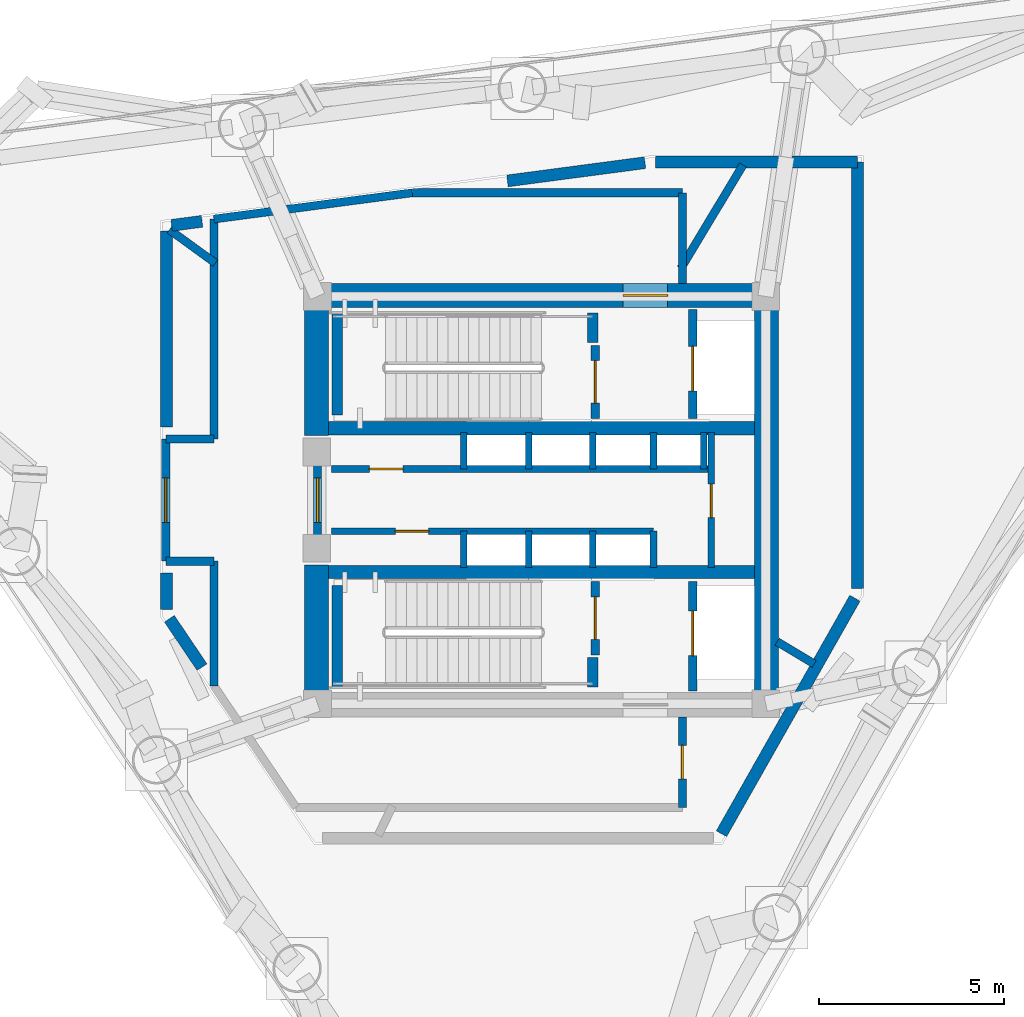
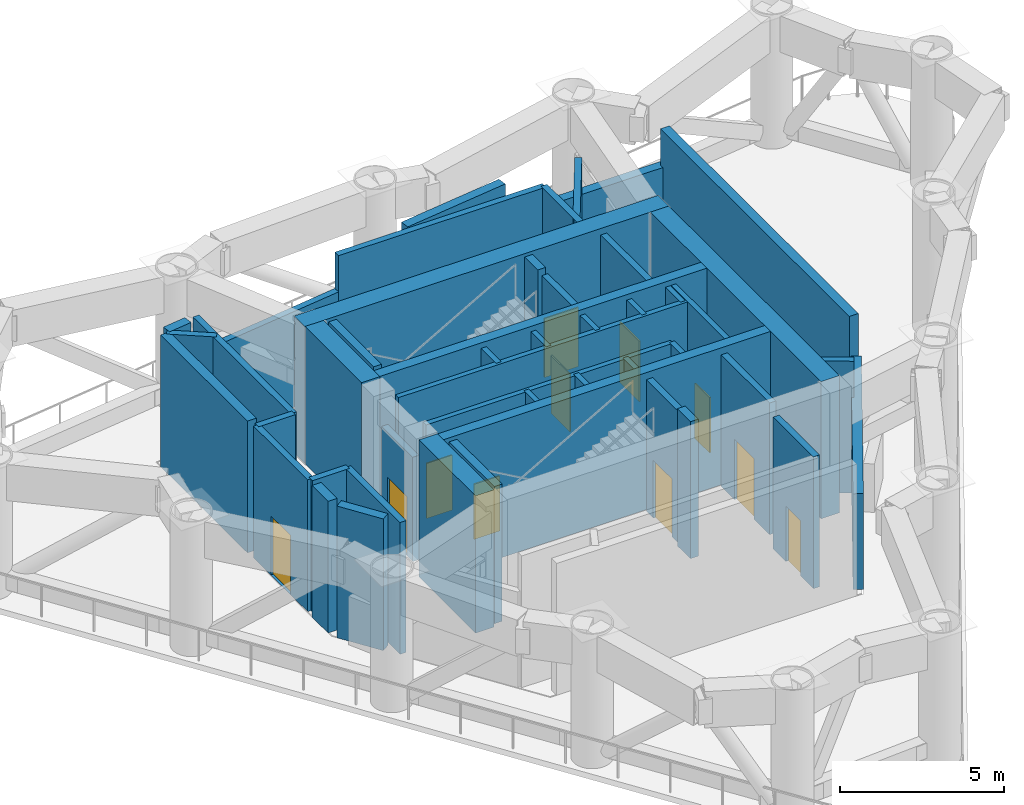
# One storey, part 4 of 10: 47 walls, 11 doors, 11 openings.
"""IFC4 building model written with IfcOpenShell, lengths in metres."""

from ifc_helpers import new_model, si_unit, direction, frame, frame_2d, origin, place, context, subcontext, project, spatial, rectangle, extrude, material, layer, layer_set, type_object, element, fill, save


model = new_model("IFC4")

# Units and contexts
model_context = context("Model", 3, precision=1e-05, world=origin(), true_north=direction((0.0, 1.0)))
body_context = subcontext(model_context, "Body", "Model", "MODEL_VIEW")
ifc_project = project(units=[si_unit("LENGTHUNIT", "METRE"), si_unit("AREAUNIT", "SQUARE_METRE"), si_unit("VOLUMEUNIT", "CUBIC_METRE"), si_unit("PLANEANGLEUNIT", "RADIAN"), si_unit("MASSUNIT", "GRAM", prefix="KILO")], contexts=[model_context])

# Site, building, storey
site_placement = place(None, origin())
site = spatial("IfcSite", under=ifc_project, at=site_placement, CompositionType="ELEMENT")
building_placement = place(site_placement, origin())
building = spatial("IfcBuilding", under=site, at=building_placement, Name="Yunling Apex Tower", CompositionType="ELEMENT")
storey_placement = place(building_placement, frame((0.0, 0.0, 186.35009765625)))
storey = spatial("IfcBuildingStorey", under=building, at=storey_placement, Name="RF5", CompositionType="ELEMENT", Elevation=186.35009765625)

# Wall, opening, door
ifc_material_1 = material(Name="Concrete C50", Category="concrete")
ifc_layer_1 = layer(ifc_material_1, 0.64990234375)
ifc_layer_set_1 = layer_set([ifc_layer_1], Name="Concrete C50")
wall_type_1 = type_object("IfcWallType", Name="WL-COR-2", PredefinedType="SHEAR", material=ifc_layer_set_1)
wall_1_placement = place(storey_placement, frame((-6.39990234375, 5.52490234375, 0.0), z_axis=(0.0, 0.0, 1.0), x_axis=(1.0, 0.0, 0.0)))
wall_1 = element("IfcWall", 1, at=wall_1_placement, inside=storey, type_object=wall_type_1, Name="RF5 North Core Shear Wall", PredefinedType="SHEAR", context=body_context, shape_type="SweptSolid", body=[
    extrude(rectangle(XDim=12.7998046875, YDim=0.64990234375, at=frame_2d((6.39990234375, 0.0))), origin(), (0.0, 0.0, 1.0), 5.099853515625),
])
opening_1_placement = place(wall_1_placement, frame((8.60009765625, 0.0, 0.0)))
opening_1 = element("IfcOpeningElement", 2, at=opening_1_placement, cuts=wall_1, Name="Opening DR-FFL-1", PredefinedType="OPENING", context=body_context, shape_type="SweptSolid", body=[
    extrude(rectangle(XDim=1.199951171875, YDim=2.199951171875, at=frame_2d((0.60009765625, 1.10009765625))), frame((0.0, 0.3349609375, 0.0), z_axis=(0.0, -1.0, 0.0), x_axis=(1.0, 0.0, 0.0)), (0.0, 0.0, 1.0), 0.669921875),
])
ifc_material_2 = material(Name="Steel Q355B", Category="steel")
door_type_1 = type_object("IfcDoorType", Name="DR-FFL-1", OperationType="NOTDEFINED", PredefinedType="DOOR", material=ifc_material_2)
door_1_placement = place(opening_1_placement, origin())
door_1 = element("IfcDoor", 3, at=door_1_placement, inside=storey, type_object=door_type_1, Name="RF5 North Firefighting Lobby Door", OperationType="SINGLE_SWING_LEFT", OverallHeight=2.199951171875, OverallWidth=1.199951171875, PredefinedType="DOOR", context=body_context, shape_type="SweptSolid", body=[
    extrude(rectangle(XDim=1.199951171875, YDim=2.199951171875, at=frame_2d((0.60009765625, 1.10009765625))), frame((0.0, 0.02490234375, 0.0), z_axis=(0.0, -1.0, 0.0), x_axis=(1.0, 0.0, 0.0)), (0.0, 0.0, 1.0), 0.050048828125),
])
fill(opening_1, door_1)

# Walls
wall_2_placement = place(storey_placement, frame((6.074951171875, -5.199951171875, 0.0), z_axis=(0.0, 0.0, 1.0), x_axis=(0.0, 1.0, 0.0)))
element("IfcWall", 4, at=wall_2_placement, inside=storey, type_object=wall_type_1, Name="RF5 East Core Shear Wall", PredefinedType="SHEAR", context=body_context, shape_type="SweptSolid", body=[
    extrude(rectangle(XDim=10.39990234375, YDim=0.64990234375, at=frame_2d((5.199951171875, 0.0))), origin(), (0.0, 0.0, 1.0), 5.099853515625),
])
for number, where, z_axis, x_axis, name in (
    (5, (-6.074951171875, -5.199951171875, 0.0), (0.0, 0.0, 1.0), (0.0, 1.0, 0.0), "RF5 West-South Core Shear Wall"),
    (6, (-6.074951171875, 1.75, 0.0), (0.0, 0.0, 1.0), (0.0, 1.0, 0.0), "RF5 West-North Core Shear Wall"),
):
    element("IfcWall", number, at=place(storey_placement, frame(where, z_axis=z_axis, x_axis=x_axis)), inside=storey, type_object=wall_type_1, Name=name, PredefinedType="SHEAR", context=body_context, shape_type="SweptSolid", body=[
        extrude(rectangle(XDim=3.449951171875, YDim=0.64990234375, at=frame_2d((1.72509765625, 0.0))), origin(), (0.0, 0.0, 1.0), 5.099853515625),
    ])
ifc_material_3 = material(Name="Concrete C40", Category="concrete")
ifc_layer_2 = layer(ifc_material_3, 0.360107421875)
ifc_layer_set_2 = layer_set([ifc_layer_2], Name="Concrete C40")
wall_type_2 = type_object("IfcWallType", Name="WL-COR-4", PredefinedType="SHEAR", material=ifc_layer_set_2)
for number, where, z_axis, x_axis, name in (
    (7, (-5.75, 1.93994140625, 0.0), (0.0, 0.0, 1.0), (1.0, 0.0, 0.0), "RF5 North Internal Core Shear Wall"),
    (8, (-5.75, -1.93994140625, 0.0), (0.0, 0.0, 1.0), (1.0, 0.0, 0.0), "RF5 South Internal Core Shear Wall"),
):
    element("IfcWall", number, at=place(storey_placement, frame(where, z_axis=z_axis, x_axis=x_axis)), inside=storey, type_object=wall_type_2, Name=name, PredefinedType="SHEAR", context=body_context, shape_type="SweptSolid", body=[
        extrude(rectangle(XDim=11.5, YDim=0.360107421875, at=frame_2d((5.75, 0.0))), origin(), (0.0, 0.0, 1.0), 5.099853515625),
    ])
ifc_layer_3 = layer(ifc_material_3, 0.280029296875)
ifc_layer_set_3 = layer_set([ifc_layer_3], Name="Concrete C40")
wall_type_3 = type_object("IfcWallType", Name="WL-COR-8", PredefinedType="SHEAR", material=ifc_layer_set_3)
wall_3_placement = place(storey_placement, frame((-5.52001953125, 2.300048828125, 0.0), z_axis=(0.0, 0.0, 1.0), x_axis=(0.0, 1.0, 0.0)))
element("IfcWall", 9, at=wall_3_placement, inside=storey, type_object=wall_type_3, Name="RF5 ST-1 West Landing Bearing Wall", PredefinedType="SHEAR", context=body_context, shape_type="SweptSolid", body=[
    extrude(rectangle(XDim=2.75, YDim=0.280029296875, at=frame_2d((1.375, 0.0))), origin(), (0.0, 0.0, 1.0), 5.099853515625),
])
wall_4_placement = place(storey_placement, frame((1.3798828125, 4.25, 0.0), z_axis=(0.0, 0.0, 1.0), x_axis=(0.0, 1.0, 0.0)))
element("IfcWall", 10, at=wall_4_placement, inside=storey, type_object=wall_type_3, Name="RF5 ST-1 East Landing Bearing Pier", PredefinedType="SHEAR", context=body_context, shape_type="SweptSolid", body=[
    extrude(rectangle(XDim=0.800048828125, YDim=0.280029296875, at=frame_2d((0.39990234375, 0.0))), origin(), (0.0, 0.0, 1.0), 5.099853515625),
])
wall_5_placement = place(storey_placement, frame((-5.52001953125, -5.050048828125, 0.0), z_axis=(0.0, 0.0, 1.0), x_axis=(0.0, 1.0, 0.0)))
element("IfcWall", 11, at=wall_5_placement, inside=storey, type_object=wall_type_3, Name="RF5 ST-2 West Landing Bearing Wall", PredefinedType="SHEAR", context=body_context, shape_type="SweptSolid", body=[
    extrude(rectangle(XDim=2.75, YDim=0.280029296875, at=frame_2d((1.375, 0.0))), origin(), (0.0, 0.0, 1.0), 5.099853515625),
])
wall_6_placement = place(storey_placement, frame((1.3798828125, -5.050048828125, 0.0), z_axis=(0.0, 0.0, 1.0), x_axis=(0.0, 1.0, 0.0)))
element("IfcWall", 12, at=wall_6_placement, inside=storey, type_object=wall_type_3, Name="RF5 ST-2 East Landing Bearing Pier", PredefinedType="SHEAR", context=body_context, shape_type="SweptSolid", body=[
    extrude(rectangle(XDim=0.800048828125, YDim=0.280029296875, at=frame_2d((0.39990234375, 0.0))), origin(), (0.0, 0.0, 1.0), 5.099853515625),
])
ifc_material_4 = material(Name="Precast concrete C40", Category="concrete")
ifc_layer_4 = layer(ifc_material_4, 0.320068359375)
ifc_layer_set_4 = layer_set([ifc_layer_4], Name="Precast concrete C40")
wall_type_4 = type_object("IfcWallType", Name="WL-EXT-1", PredefinedType="SOLIDWALL", material=ifc_layer_set_4)
wall_7_placement = place(storey_placement, frame((8.530029296875, 9.1298828125, 0.0), z_axis=(0.0, 0.0, 1.0), x_axis=(0.0, -1.0, 0.0)))
element("IfcWall", 13, at=wall_7_placement, inside=storey, type_object=wall_type_4, Name="WL-RF5-IR-01", PredefinedType="SOLIDWALL", context=body_context, shape_type="SweptSolid", body=[
    extrude(rectangle(XDim=11.515869140625, YDim=0.320068359375, at=frame_2d((5.7578125, 0.0))), origin(), (0.0, 0.0, 1.0), 4.89990234375),
])
wall_8_placement = place(storey_placement, frame((8.4609375, -2.647705078125, 0.0), z_axis=(0.0, 0.0, 1.0), x_axis=(-0.493028580782, -0.870013114, 0.0)))
element("IfcWall", 14, at=wall_8_placement, inside=storey, type_object=wall_type_4, Name="WL-RF5-IR-02", PredefinedType="SOLIDWALL", context=body_context, shape_type="SweptSolid", body=[
    extrude(rectangle(XDim=7.31103515625, YDim=0.320068359375, at=frame_2d((3.655517578125, 0.0))), origin(), (0.0, 0.0, 1.0), 3.554931640625),
])
wall_9_placement = place(storey_placement, frame((-9.169921875, -4.5107421875, 0.0), z_axis=(0.0, 0.0, 1.0), x_axis=(-0.559265415239, 0.828988658136, 0.0)))
element("IfcWall", 15, at=wall_9_placement, inside=storey, type_object=wall_type_4, Name="WL-RF5-IR-04", PredefinedType="SOLIDWALL", context=body_context, shape_type="SweptSolid", body=[
    extrude(rectangle(XDim=1.57666015625, YDim=0.320068359375, at=frame_2d((0.788330078125, 0.0))), origin(), (0.0, 0.0, 1.0), 4.89990234375),
])
wall_10_placement = place(storey_placement, frame((-10.1298828125, -2.947509765625, 0.0), z_axis=(0.0, 0.0, 1.0), x_axis=(0.0, 1.0, 0.0)))
element("IfcWall", 16, at=wall_10_placement, inside=storey, type_object=wall_type_4, Name="WL-RF5-IR-05", PredefinedType="SOLIDWALL", context=body_context, shape_type="SweptSolid", body=[
    extrude(rectangle(XDim=0.9775390625, YDim=0.320068359375, at=frame_2d((0.48876953125, 0.0))), origin(), (0.0, 0.0, 1.0), 4.89990234375),
])
wall_11_placement = place(storey_placement, frame((-10.1298828125, 1.969970703125, 0.0), z_axis=(0.0, 0.0, 1.0), x_axis=(0.0, 1.0, 0.0)))
element("IfcWall", 17, at=wall_11_placement, inside=storey, type_object=wall_type_4, Name="WL-RF5-IR-06", PredefinedType="SOLIDWALL", context=body_context, shape_type="SweptSolid", body=[
    extrude(rectangle(XDim=5.29150390625, YDim=0.320068359375, at=frame_2d((2.645751953125, 0.0))), origin(), (0.0, 0.0, 1.0), 4.89990234375),
])
wall_12_placement = place(storey_placement, frame((-9.9912109375, 7.419921875, 0.0), z_axis=(0.0, 0.0, 1.0), x_axis=(0.991402055353, 0.130850925261, 0.0)))
element("IfcWall", 18, at=wall_12_placement, inside=storey, type_object=wall_type_4, Name="WL-RF5-IR-07", PredefinedType="SOLIDWALL", context=body_context, shape_type="SweptSolid", body=[
    extrude(rectangle(XDim=0.828369140625, YDim=0.320068359375, at=frame_2d((0.4140625, 0.0))), origin(), (0.0, 0.0, 1.0), 4.89990234375),
])
wall_13_placement = place(storey_placement, frame((-0.923095703125, 8.6201171875, 0.0), z_axis=(0.0, 0.0, 1.0), x_axis=(0.991358879016, 0.131177639089, 0.0)))
element("IfcWall", 19, at=wall_13_placement, inside=storey, type_object=wall_type_4, Name="WL-RF5-IR-08", PredefinedType="SOLIDWALL", context=body_context, shape_type="SweptSolid", body=[
    extrude(rectangle(XDim=3.74658203125, YDim=0.320068359375, at=frame_2d((1.873291015625, 0.0))), origin(), (0.0, 0.0, 1.0), 4.89990234375),
])
wall_14_placement = place(storey_placement, frame((3.06982421875, 9.1298828125, 0.0), z_axis=(0.0, 0.0, 1.0), x_axis=(1.0, 0.0, 0.0)))
element("IfcWall", 20, at=wall_14_placement, inside=storey, type_object=wall_type_4, Name="WL-RF5-IR-09", PredefinedType="SOLIDWALL", context=body_context, shape_type="SweptSolid", body=[
    extrude(rectangle(XDim=5.460205078125, YDim=0.320068359375, at=frame_2d((2.72998046875, 0.0))), origin(), (0.0, 0.0, 1.0), 3.554931640625),
])

# Wall, opening, door
ifc_material_5 = material(Name="Autoclaved aerated concrete masonry", Category="masonry")
ifc_layer_5 = layer(ifc_material_5, 0.219970703125)
ifc_layer_set_5 = layer_set([ifc_layer_5], Name="Autoclaved aerated concrete masonry")
wall_type_5 = type_object("IfcWallType", Name="WL-SHF-1", PredefinedType="PLUMBINGWALL", material=ifc_layer_set_5)
wall_15_placement = place(storey_placement, frame((-6.050048828125, -0.949951171875, 0.0), z_axis=(0.0, 0.0, 1.0), x_axis=(0.0, 1.0, 0.0)))
wall_15 = element("IfcWall", 21, at=wall_15_placement, inside=storey, type_object=wall_type_5, Name="WL-COR-WPORT-RF5", PredefinedType="PLUMBINGWALL", context=body_context, shape_type="SweptSolid", body=[
    extrude(rectangle(XDim=1.89990234375, YDim=0.219970703125, at=frame_2d((0.949951171875, 0.0))), origin(), (0.0, 0.0, 1.0), 3.8798828125),
])
opening_2_placement = place(wall_15_placement, frame((0.35009765625, 0.0, 0.0)))
opening_2 = element("IfcOpeningElement", 22, at=opening_2_placement, cuts=wall_15, Name="Opening DR-FFL-1", PredefinedType="OPENING", context=body_context, shape_type="SweptSolid", body=[
    extrude(rectangle(XDim=1.199951171875, YDim=2.199951171875, at=frame_2d((0.60009765625, 1.10009765625))), frame((0.0, 0.1201171875, 0.0), z_axis=(0.0, -1.0, 0.0), x_axis=(1.0, 0.0, 0.0)), (0.0, 0.0, 1.0), 0.239990234375),
])
door_2_placement = place(opening_2_placement, origin())
door_2 = element("IfcDoor", 23, at=door_2_placement, inside=storey, type_object=door_type_1, Name="RF5 Passenger Lift Lobby Entrance Door", OperationType="SINGLE_SWING_RIGHT", OverallHeight=2.199951171875, OverallWidth=1.199951171875, PredefinedType="DOOR", context=body_context, shape_type="SweptSolid", body=[
    extrude(rectangle(XDim=1.199951171875, YDim=2.199951171875, at=frame_2d((0.60009765625, 1.10009765625))), frame((0.0, 0.02490234375, 0.0), z_axis=(0.0, -1.0, 0.0), x_axis=(1.0, 0.0, 0.0)), (0.0, 0.0, 1.0), 0.050048828125),
])
fill(opening_2, door_2)

wall_16_placement = place(storey_placement, frame((1.449951171875, 2.199951171875, 0.0), z_axis=(0.0, 0.0, 1.0), x_axis=(0.0, 1.0, 0.0)))
wall_16 = element("IfcWall", 24, at=wall_16_placement, inside=storey, type_object=wall_type_5, Name="WL-ST1-E-RF5", PredefinedType="PLUMBINGWALL", context=body_context, shape_type="SweptSolid", body=[
    extrude(rectangle(XDim=1.97998046875, YDim=0.219970703125, at=frame_2d((0.989990234375, 0.0))), origin(), (0.0, 0.0, 1.0), 4.89990234375),
])
opening_3_placement = place(wall_16_placement, frame((0.419921875, 0.0, 0.0)))
opening_3 = element("IfcOpeningElement", 25, at=opening_3_placement, cuts=wall_16, Name="Opening DR-ST-1", PredefinedType="OPENING", context=body_context, shape_type="SweptSolid", body=[
    extrude(rectangle(XDim=1.14990234375, YDim=2.14990234375, at=frame_2d((0.574951171875, 1.074951171875))), frame((0.0, 0.1201171875, 0.0), z_axis=(0.0, -1.0, 0.0), x_axis=(1.0, 0.0, 0.0)), (0.0, 0.0, 1.0), 0.239990234375),
])
door_type_2 = type_object("IfcDoorType", Name="DR-ST-1", OperationType="NOTDEFINED", PredefinedType="DOOR", material=ifc_material_2)
door_3_placement = place(opening_3_placement, origin())
door_3 = element("IfcDoor", 26, at=door_3_placement, inside=storey, type_object=door_type_2, Name="RF5 Stair ST-1 Fire Door", OperationType="SINGLE_SWING_LEFT", OverallHeight=2.14990234375, OverallWidth=1.14990234375, PredefinedType="DOOR", context=body_context, shape_type="SweptSolid", body=[
    extrude(rectangle(XDim=1.14990234375, YDim=2.14990234375, at=frame_2d((0.574951171875, 1.074951171875))), frame((0.0, 0.02490234375, 0.0), z_axis=(0.0, -1.0, 0.0), x_axis=(1.0, 0.0, 0.0)), (0.0, 0.0, 1.0), 0.050048828125),
])
fill(opening_3, door_3)

wall_17_placement = place(storey_placement, frame((4.080078125, 2.199951171875, 0.0), z_axis=(0.0, 0.0, 1.0), x_axis=(0.0, 1.0, 0.0)))
wall_17 = element("IfcWall", 27, at=wall_17_placement, inside=storey, type_object=wall_type_5, Name="WL-FFL1-W-RF5", PredefinedType="PLUMBINGWALL", context=body_context, shape_type="SweptSolid", body=[
    extrude(rectangle(XDim=2.949951171875, YDim=0.219970703125, at=frame_2d((1.47509765625, 0.0))), origin(), (0.0, 0.0, 1.0), 4.89990234375),
])
opening_4_placement = place(wall_17_placement, frame((0.75, 0.0, 0.0)))
opening_4 = element("IfcOpeningElement", 28, at=opening_4_placement, cuts=wall_17, Name="Opening LD-FFL-1", PredefinedType="OPENING", context=body_context, shape_type="SweptSolid", body=[
    extrude(rectangle(XDim=1.199951171875, YDim=2.25, at=frame_2d((0.60009765625, 1.125))), frame((0.0, 0.1201171875, 0.0), z_axis=(0.0, -1.0, 0.0), x_axis=(1.0, 0.0, 0.0)), (0.0, 0.0, 1.0), 0.239990234375),
])
door_type_3 = type_object("IfcDoorType", Name="LD-FFL-1", OperationType="DOUBLE_DOOR_SLIDING", PredefinedType="DOOR", material=ifc_material_2)
door_4_placement = place(opening_4_placement, origin())
door_4 = element("IfcDoor", 29, at=door_4_placement, inside=storey, type_object=door_type_3, Name="RF5 Lift FFL-1 Landing Door", OperationType="DOUBLE_DOOR_SLIDING", OverallHeight=2.25, OverallWidth=1.199951171875, PredefinedType="DOOR", context=body_context, shape_type="SweptSolid", body=[
    extrude(rectangle(XDim=1.199951171875, YDim=2.25, at=frame_2d((0.60009765625, 1.125))), frame((0.0, 0.02490234375, 0.0), z_axis=(0.0, -1.0, 0.0), x_axis=(1.0, 0.0, 0.0)), (0.0, 0.0, 1.0), 0.050048828125),
])
fill(opening_4, door_4)

wall_18_placement = place(storey_placement, frame((1.449951171875, -4.179931640625, 0.0), z_axis=(0.0, 0.0, 1.0), x_axis=(0.0, 1.0, 0.0)))
wall_18 = element("IfcWall", 30, at=wall_18_placement, inside=storey, type_object=wall_type_5, Name="WL-ST2-E-RF5", PredefinedType="PLUMBINGWALL", context=body_context, shape_type="SweptSolid", body=[
    extrude(rectangle(XDim=1.97998046875, YDim=0.219970703125, at=frame_2d((0.989990234375, 0.0))), origin(), (0.0, 0.0, 1.0), 4.89990234375),
])
opening_5_placement = place(wall_18_placement, frame((0.419921875, 0.0, 0.0)))
opening_5 = element("IfcOpeningElement", 31, at=opening_5_placement, cuts=wall_18, Name="Opening DR-ST-1", PredefinedType="OPENING", context=body_context, shape_type="SweptSolid", body=[
    extrude(rectangle(XDim=1.14990234375, YDim=2.14990234375, at=frame_2d((0.574951171875, 1.074951171875))), frame((0.0, 0.1201171875, 0.0), z_axis=(0.0, -1.0, 0.0), x_axis=(1.0, 0.0, 0.0)), (0.0, 0.0, 1.0), 0.239990234375),
])
door_5_placement = place(opening_5_placement, origin())
door_5 = element("IfcDoor", 32, at=door_5_placement, inside=storey, type_object=door_type_2, Name="RF5 Stair ST-2 Fire Door", OperationType="SINGLE_SWING_RIGHT", OverallHeight=2.14990234375, OverallWidth=1.14990234375, PredefinedType="DOOR", context=body_context, shape_type="SweptSolid", body=[
    extrude(rectangle(XDim=1.14990234375, YDim=2.14990234375, at=frame_2d((0.574951171875, 1.074951171875))), frame((0.0, 0.02490234375, 0.0), z_axis=(0.0, -1.0, 0.0), x_axis=(1.0, 0.0, 0.0)), (0.0, 0.0, 1.0), 0.050048828125),
])
fill(opening_5, door_5)

wall_19_placement = place(storey_placement, frame((4.080078125, -5.14990234375, 0.0), z_axis=(0.0, 0.0, 1.0), x_axis=(0.0, 1.0, 0.0)))
wall_19 = element("IfcWall", 33, at=wall_19_placement, inside=storey, type_object=wall_type_5, Name="WL-FFL2-W-RF5", PredefinedType="PLUMBINGWALL", context=body_context, shape_type="SweptSolid", body=[
    extrude(rectangle(XDim=2.949951171875, YDim=0.219970703125, at=frame_2d((1.47509765625, 0.0))), origin(), (0.0, 0.0, 1.0), 4.89990234375),
])
opening_6_placement = place(wall_19_placement, frame((0.949951171875, 0.0, 0.0)))
opening_6 = element("IfcOpeningElement", 34, at=opening_6_placement, cuts=wall_19, Name="Opening LD-FFL-1", PredefinedType="OPENING", context=body_context, shape_type="SweptSolid", body=[
    extrude(rectangle(XDim=1.199951171875, YDim=2.25, at=frame_2d((0.60009765625, 1.125))), frame((0.0, 0.1201171875, 0.0), z_axis=(0.0, -1.0, 0.0), x_axis=(1.0, 0.0, 0.0)), (0.0, 0.0, 1.0), 0.239990234375),
])
door_6_placement = place(opening_6_placement, origin())
door_6 = element("IfcDoor", 35, at=door_6_placement, inside=storey, type_object=door_type_3, Name="RF5 Lift FFL-2 Landing Door", OperationType="DOUBLE_DOOR_SLIDING", OverallHeight=2.25, OverallWidth=1.199951171875, PredefinedType="DOOR", context=body_context, shape_type="SweptSolid", body=[
    extrude(rectangle(XDim=1.199951171875, YDim=2.25, at=frame_2d((0.60009765625, 1.125))), frame((0.0, 0.02490234375, 0.0), z_axis=(0.0, -1.0, 0.0), x_axis=(1.0, 0.0, 0.0)), (0.0, 0.0, 1.0), 0.050048828125),
])
fill(opening_6, door_6)

# Walls
wall_20_placement = place(storey_placement, frame((3.760009765625, 6.2578125, 0.0), z_axis=(0.0, 0.0, 1.0), x_axis=(0.515035712577, 0.857168720131, 0.0)))
element("IfcWall", 36, at=wall_20_placement, inside=storey, type_object=wall_type_5, Name="WL-RF5-PDIV-59", PredefinedType="PLUMBINGWALL", context=body_context, shape_type="SweptSolid", body=[
    extrude(rectangle(XDim=3.257568359375, YDim=0.219970703125, at=frame_2d((1.62890625, 0.0))), origin(), (0.0, 0.0, 1.0), 4.89990234375),
])
wall_21_placement = place(storey_placement, frame((-8.81005859375, 6.40087890625, 0.0), z_axis=(0.0, 0.0, 1.0), x_axis=(-0.809025288471, 0.587773836279, 0.0)))
element("IfcWall", 37, at=wall_21_placement, inside=storey, type_object=wall_type_5, Name="WL-RF5-PDIV-144", PredefinedType="PLUMBINGWALL", context=body_context, shape_type="SweptSolid", body=[
    extrude(rectangle(XDim=1.53271484375, YDim=0.219970703125, at=frame_2d((0.766357421875, 0.0))), origin(), (0.0, 0.0, 1.0), 4.89990234375),
])
wall_22_placement = place(storey_placement, frame((6.360107421875, -3.821533203125, 0.0), z_axis=(0.0, 0.0, 1.0), x_axis=(0.857179622844, -0.515017566867, 0.0)))
element("IfcWall", 38, at=wall_22_placement, inside=storey, type_object=wall_type_5, Name="WL-RF5-PDIV-329", PredefinedType="PLUMBINGWALL", context=body_context, shape_type="SweptSolid", body=[
    extrude(rectangle(XDim=1.16943359375, YDim=0.219970703125, at=frame_2d((0.584716796875, 0.0))), origin(), (0.0, 0.0, 1.0), 4.89990234375),
])

# Wall, opening, door
wall_23_placement = place(storey_placement, frame((3.800048828125, -5.85009765625, 0.0), z_axis=(0.0, 0.0, 1.0), x_axis=(0.0, -1.0, 0.0)))
wall_23 = element("IfcWall", 39, at=wall_23_placement, inside=storey, type_object=wall_type_5, Name="WL-RF5-PCR-01", PredefinedType="PLUMBINGWALL", context=body_context, shape_type="SweptSolid", body=[
    extrude(rectangle(XDim=2.449951171875, YDim=0.219970703125, at=frame_2d((1.22509765625, 0.0))), origin(), (0.0, 0.0, 1.0), 4.89990234375),
])
opening_7_placement = place(wall_23_placement, frame((0.77490234375, 0.0, 0.0)))
opening_7 = element("IfcOpeningElement", 40, at=opening_7_placement, cuts=wall_23, Name="Opening DR-SHF-1", PredefinedType="OPENING", context=body_context, shape_type="SweptSolid", body=[
    extrude(rectangle(XDim=0.89990234375, YDim=2.050048828125, at=frame_2d((0.449951171875, 1.02490234375))), frame((0.0, 0.1201171875, 0.0), z_axis=(0.0, -1.0, 0.0), x_axis=(1.0, 0.0, 0.0)), (0.0, 0.0, 1.0), 0.239990234375),
])
door_type_4 = type_object("IfcDoorType", Name="DR-SHF-1", OperationType="NOTDEFINED", PredefinedType="DOOR", material=ifc_material_2)
door_7_placement = place(opening_7_placement, origin())
door_7 = element("IfcDoor", 41, at=door_7_placement, inside=storey, type_object=door_type_4, Name="RF5 Plate Heat-Exchanger and Chiller Plant Room Door", OperationType="SINGLE_SWING_RIGHT", OverallHeight=2.050048828125, OverallWidth=0.89990234375, PredefinedType="DOOR", context=body_context, shape_type="SweptSolid", body=[
    extrude(rectangle(XDim=0.89990234375, YDim=2.050048828125, at=frame_2d((0.449951171875, 1.02490234375))), frame((0.0, 0.02490234375, 0.0), z_axis=(0.0, -1.0, 0.0), x_axis=(1.0, 0.0, 0.0)), (0.0, 0.0, 1.0), 0.050048828125),
])
fill(opening_7, door_7)

# Walls
wall_24_placement = place(storey_placement, frame((-8.85009765625, -5.02099609375, 0.0), z_axis=(0.0, 0.0, 1.0), x_axis=(0.0, 1.0, 0.0)))
element("IfcWall", 42, at=wall_24_placement, inside=storey, type_object=wall_type_5, Name="WL-RF5-PCR-04", PredefinedType="PLUMBINGWALL", context=body_context, shape_type="SweptSolid", body=[
    extrude(rectangle(XDim=3.37109375, YDim=0.219970703125, at=frame_2d((1.685546875, 0.0))), origin(), (0.0, 0.0, 1.0), 4.89990234375),
])
wall_25_placement = place(storey_placement, frame((-8.85009765625, -1.64990234375, 0.0), z_axis=(0.0, 0.0, 1.0), x_axis=(-1.0, 0.0, 0.0)))
element("IfcWall", 43, at=wall_25_placement, inside=storey, type_object=wall_type_5, Name="WL-RF5-PCR-05", PredefinedType="PLUMBINGWALL", context=body_context, shape_type="SweptSolid", body=[
    extrude(rectangle(XDim=1.2998046875, YDim=0.219970703125, at=frame_2d((0.64990234375, 0.0))), origin(), (0.0, 0.0, 1.0), 4.89990234375),
])

# Wall, opening, door
wall_26_placement = place(storey_placement, frame((-10.14990234375, -1.64990234375, 0.0), z_axis=(0.0, 0.0, 1.0), x_axis=(0.0, 1.0, 0.0)))
wall_26 = element("IfcWall", 44, at=wall_26_placement, inside=storey, type_object=wall_type_5, Name="WL-RF5-PCR-06", PredefinedType="PLUMBINGWALL", context=body_context, shape_type="SweptSolid", body=[
    extrude(rectangle(XDim=3.2998046875, YDim=0.219970703125, at=frame_2d((1.64990234375, 0.0))), origin(), (0.0, 0.0, 1.0), 4.89990234375),
])
opening_8_placement = place(wall_26_placement, frame((1.050048828125, 0.0, 0.0)))
opening_8 = element("IfcOpeningElement", 45, at=opening_8_placement, cuts=wall_26, Name="Opening DR-FFL-1", PredefinedType="OPENING", context=body_context, shape_type="SweptSolid", body=[
    extrude(rectangle(XDim=1.199951171875, YDim=2.199951171875, at=frame_2d((0.60009765625, 1.10009765625))), frame((0.0, 0.1201171875, 0.0), z_axis=(0.0, -1.0, 0.0), x_axis=(1.0, 0.0, 0.0)), (0.0, 0.0, 1.0), 0.239990234375),
])
door_8_placement = place(opening_8_placement, origin())
door_8 = element("IfcDoor", 46, at=door_8_placement, inside=storey, type_object=door_type_1, Name="RF5 West Refuge Terrace Exit Door", OperationType="SINGLE_SWING_LEFT", OverallHeight=2.199951171875, OverallWidth=1.199951171875, PredefinedType="DOOR", context=body_context, shape_type="SweptSolid", body=[
    extrude(rectangle(XDim=1.199951171875, YDim=2.199951171875, at=frame_2d((0.60009765625, 1.10009765625))), frame((0.0, 0.02490234375, 0.0), z_axis=(0.0, -1.0, 0.0), x_axis=(1.0, 0.0, 0.0)), (0.0, 0.0, 1.0), 0.050048828125),
])
fill(opening_8, door_8)

# Walls
wall_27_placement = place(storey_placement, frame((-10.14990234375, 1.64990234375, 0.0), z_axis=(0.0, 0.0, 1.0), x_axis=(1.0, 0.0, 0.0)))
element("IfcWall", 47, at=wall_27_placement, inside=storey, type_object=wall_type_5, Name="WL-RF5-PCR-07", PredefinedType="PLUMBINGWALL", context=body_context, shape_type="SweptSolid", body=[
    extrude(rectangle(XDim=1.2998046875, YDim=0.219970703125, at=frame_2d((0.64990234375, 0.0))), origin(), (0.0, 0.0, 1.0), 4.89990234375),
])
wall_28_placement = place(storey_placement, frame((-8.85009765625, 1.64990234375, 0.0), z_axis=(0.0, 0.0, 1.0), x_axis=(0.0, 1.0, 0.0)))
element("IfcWall", 48, at=wall_28_placement, inside=storey, type_object=wall_type_5, Name="WL-RF5-PCR-08", PredefinedType="PLUMBINGWALL", context=body_context, shape_type="SweptSolid", body=[
    extrude(rectangle(XDim=5.941162109375, YDim=0.219970703125, at=frame_2d((2.970703125, 0.0))), origin(), (0.0, 0.0, 1.0), 4.89990234375),
])
wall_29_placement = place(storey_placement, frame((-8.85009765625, 7.591064453125, 0.0), z_axis=(0.0, 0.0, 1.0), x_axis=(0.991354506703, 0.131210678067, 0.0)))
element("IfcWall", 49, at=wall_29_placement, inside=storey, type_object=wall_type_5, Name="WL-RF5-PCR-09", PredefinedType="PLUMBINGWALL", context=body_context, shape_type="SweptSolid", body=[
    extrude(rectangle(XDim=5.4033203125, YDim=0.219970703125, at=frame_2d((2.70166015625, 0.0))), origin(), (0.0, 0.0, 1.0), 3.554931640625),
])
wall_30_placement = place(storey_placement, frame((-3.493408203125, 8.300048828125, 0.0), z_axis=(0.0, 0.0, 1.0), x_axis=(1.0, 0.0, 0.0)))
element("IfcWall", 50, at=wall_30_placement, inside=storey, type_object=wall_type_5, Name="WL-RF5-PCR-10", PredefinedType="PLUMBINGWALL", context=body_context, shape_type="SweptSolid", body=[
    extrude(rectangle(XDim=7.29345703125, YDim=0.219970703125, at=frame_2d((3.646728515625, 0.0))), origin(), (0.0, 0.0, 1.0), 4.89990234375),
])
wall_31_placement = place(storey_placement, frame((3.800048828125, 8.300048828125, 0.0), z_axis=(0.0, 0.0, 1.0), x_axis=(0.0, -1.0, 0.0)))
element("IfcWall", 51, at=wall_31_placement, inside=storey, type_object=wall_type_5, Name="WL-RF5-PCR-11", PredefinedType="PLUMBINGWALL", context=body_context, shape_type="SweptSolid", body=[
    extrude(rectangle(XDim=2.449951171875, YDim=0.219970703125, at=frame_2d((1.22509765625, 0.0))), origin(), (0.0, 0.0, 1.0), 4.89990234375),
])
ifc_layer_6 = layer(ifc_material_5, 0.179931640625)
ifc_layer_set_6 = layer_set([ifc_layer_6], Name="Autoclaved aerated concrete masonry")
wall_type_6 = type_object("IfcWallType", Name="WL-SHF-2", PredefinedType="PLUMBINGWALL", material=ifc_layer_set_6)
for number, where, z_axis, x_axis, name in (
    (52, (-2.10009765625, 0.840087890625, 0.0), (0.0, 0.0, 1.0), (0.0, 1.0, 0.0), "WL-BNK-LM-N-RF5"),
    (53, (-2.10009765625, -1.820068359375, 0.0), (0.0, 0.0, 1.0), (0.0, 1.0, 0.0), "WL-BNK-LM-S-RF5"),
    (54, (-0.35009765625, 0.840087890625, 0.0), (0.0, 0.0, 1.0), (0.0, 1.0, 0.0), "WL-DIV-M12-RF5"),
    (55, (-0.35009765625, -1.820068359375, 0.0), (0.0, 0.0, 1.0), (0.0, 1.0, 0.0), "WL-DIV-M34-RF5"),
    (56, (1.3798828125, 0.840087890625, 0.0), (0.0, 0.0, 1.0), (0.0, 1.0, 0.0), "WL-BNK-MH-N-RF5"),
    (57, (1.3798828125, -1.820068359375, 0.0), (0.0, 0.0, 1.0), (0.0, 1.0, 0.0), "WL-BNK-MH-S-RF5"),
    (58, (3.02001953125, 0.840087890625, 0.0), (0.0, 0.0, 1.0), (0.0, 1.0, 0.0), "WL-DIV-H13-RF5"),
    (59, (4.3798828125, 0.840087890625, 0.0), (0.0, 0.0, 1.0), (0.0, 1.0, 0.0), "WL-END-H3E-RF5"),
    (60, (3.02001953125, -1.820068359375, 0.0), (0.0, 0.0, 1.0), (0.0, 1.0, 0.0), "WL-END-H2E-RF5"),
):
    element("IfcWall", number, at=place(storey_placement, frame(where, z_axis=z_axis, x_axis=x_axis)), inside=storey, type_object=wall_type_6, Name=name, PredefinedType="PLUMBINGWALL", context=body_context, shape_type="SweptSolid", body=[
        extrude(rectangle(XDim=0.97998046875, YDim=0.179931640625, at=frame_2d((0.489990234375, 0.0))), origin(), (0.0, 0.0, 1.0), 4.89990234375),
    ])

# Wall, opening, door
wall_32_placement = place(storey_placement, frame((4.580078125, -1.820068359375, 0.0), z_axis=(0.0, 0.0, 1.0), x_axis=(0.0, 1.0, 0.0)))
wall_32 = element("IfcWall", 61, at=wall_32_placement, inside=storey, type_object=wall_type_6, Name="WL-KBE-W-RF5", PredefinedType="PLUMBINGWALL", context=body_context, shape_type="SweptSolid", body=[
    extrude(rectangle(XDim=3.64013671875, YDim=0.179931640625, at=frame_2d((1.820068359375, 0.0))), origin(), (0.0, 0.0, 1.0), 4.89990234375),
])
opening_9_placement = place(wall_32_placement, frame((1.35009765625, 0.0, 0.0)))
opening_9 = element("IfcOpeningElement", 62, at=opening_9_placement, cuts=wall_32, Name="Opening DR-SHF-1", PredefinedType="OPENING", context=body_context, shape_type="SweptSolid", body=[
    extrude(rectangle(XDim=0.89990234375, YDim=2.050048828125, at=frame_2d((0.449951171875, 1.02490234375))), frame((0.0, 0.10009765625, 0.0), z_axis=(0.0, -1.0, 0.0), x_axis=(1.0, 0.0, 0.0)), (0.0, 0.0, 1.0), 0.199951171875),
])
door_9_placement = place(opening_9_placement, origin())
door_9 = element("IfcDoor", 63, at=door_9_placement, inside=storey, type_object=door_type_4, Name="RF5 Core Meter Room Door", OperationType="SINGLE_SWING_LEFT", OverallHeight=2.050048828125, OverallWidth=0.89990234375, PredefinedType="DOOR", context=body_context, shape_type="SweptSolid", body=[
    extrude(rectangle(XDim=0.89990234375, YDim=2.050048828125, at=frame_2d((0.449951171875, 1.02490234375))), frame((0.0, 0.02490234375, 0.0), z_axis=(0.0, -1.0, 0.0), x_axis=(1.0, 0.0, 0.0)), (0.0, 0.0, 1.0), 0.050048828125),
])
fill(opening_9, door_9)

wall_33_placement = place(storey_placement, frame((-5.679931640625, 0.840087890625, 0.0), z_axis=(0.0, 0.0, 1.0), x_axis=(1.0, 0.0, 0.0)))
wall_33 = element("IfcWall", 64, at=wall_33_placement, inside=storey, type_object=wall_type_6, Name="WL-LOB-N-RF5", PredefinedType="PLUMBINGWALL", context=body_context, shape_type="SweptSolid", body=[
    extrude(rectangle(XDim=10.260009765625, YDim=0.179931640625, at=frame_2d((5.1298828125, 0.0))), origin(), (0.0, 0.0, 1.0), 4.89990234375),
])
opening_10_placement = place(wall_33_placement, frame((1.030029296875, 0.0, 0.0)))
opening_10 = element("IfcOpeningElement", 65, at=opening_10_placement, cuts=wall_33, Name="Opening DR-SHF-1", PredefinedType="OPENING", context=body_context, shape_type="SweptSolid", body=[
    extrude(rectangle(XDim=0.89990234375, YDim=2.050048828125, at=frame_2d((0.449951171875, 1.02490234375))), frame((0.0, 0.10009765625, 0.0), z_axis=(0.0, -1.0, 0.0), x_axis=(1.0, 0.0, 0.0)), (0.0, 0.0, 1.0), 0.199951171875),
])
door_10_placement = place(opening_10_placement, origin())
door_10 = element("IfcDoor", 66, at=door_10_placement, inside=storey, type_object=door_type_4, Name="RF5 LV Switchgear Door", OperationType="SINGLE_SWING_RIGHT", OverallHeight=2.050048828125, OverallWidth=0.89990234375, PredefinedType="DOOR", context=body_context, shape_type="SweptSolid", body=[
    extrude(rectangle(XDim=0.89990234375, YDim=2.050048828125, at=frame_2d((0.449951171875, 1.02490234375))), frame((0.0, 0.02490234375, 0.0), z_axis=(0.0, -1.0, 0.0), x_axis=(1.0, 0.0, 0.0)), (0.0, 0.0, 1.0), 0.050048828125),
])
fill(opening_10, door_10)

wall_34_placement = place(storey_placement, frame((-5.679931640625, -0.840087890625, 0.0), z_axis=(0.0, 0.0, 1.0), x_axis=(1.0, 0.0, 0.0)))
wall_34 = element("IfcWall", 67, at=wall_34_placement, inside=storey, type_object=wall_type_6, Name="WL-LOB-S-RF5", PredefinedType="PLUMBINGWALL", context=body_context, shape_type="SweptSolid", body=[
    extrude(rectangle(XDim=8.699951171875, YDim=0.179931640625, at=frame_2d((4.35009765625, 0.0))), origin(), (0.0, 0.0, 1.0), 4.89990234375),
])
opening_11_placement = place(wall_34_placement, frame((1.72998046875, 0.0, 0.0)))
opening_11 = element("IfcOpeningElement", 68, at=opening_11_placement, cuts=wall_34, Name="Opening DR-SHF-1", PredefinedType="OPENING", context=body_context, shape_type="SweptSolid", body=[
    extrude(rectangle(XDim=0.89990234375, YDim=2.050048828125, at=frame_2d((0.449951171875, 1.02490234375))), frame((0.0, 0.10009765625, 0.0), z_axis=(0.0, -1.0, 0.0), x_axis=(1.0, 0.0, 0.0)), (0.0, 0.0, 1.0), 0.199951171875),
])
door_11_placement = place(opening_11_placement, origin())
door_11 = element("IfcDoor", 69, at=door_11_placement, inside=storey, type_object=door_type_4, Name="RF5 Cleaners Store Door", OperationType="SINGLE_SWING_LEFT", OverallHeight=2.050048828125, OverallWidth=0.89990234375, PredefinedType="DOOR", context=body_context, shape_type="SweptSolid", body=[
    extrude(rectangle(XDim=0.89990234375, YDim=2.050048828125, at=frame_2d((0.449951171875, 1.02490234375))), frame((0.0, 0.02490234375, 0.0), z_axis=(0.0, -1.0, 0.0), x_axis=(1.0, 0.0, 0.0)), (0.0, 0.0, 1.0), 0.050048828125),
])
fill(opening_11, door_11)

save(model, "model.ifc")
